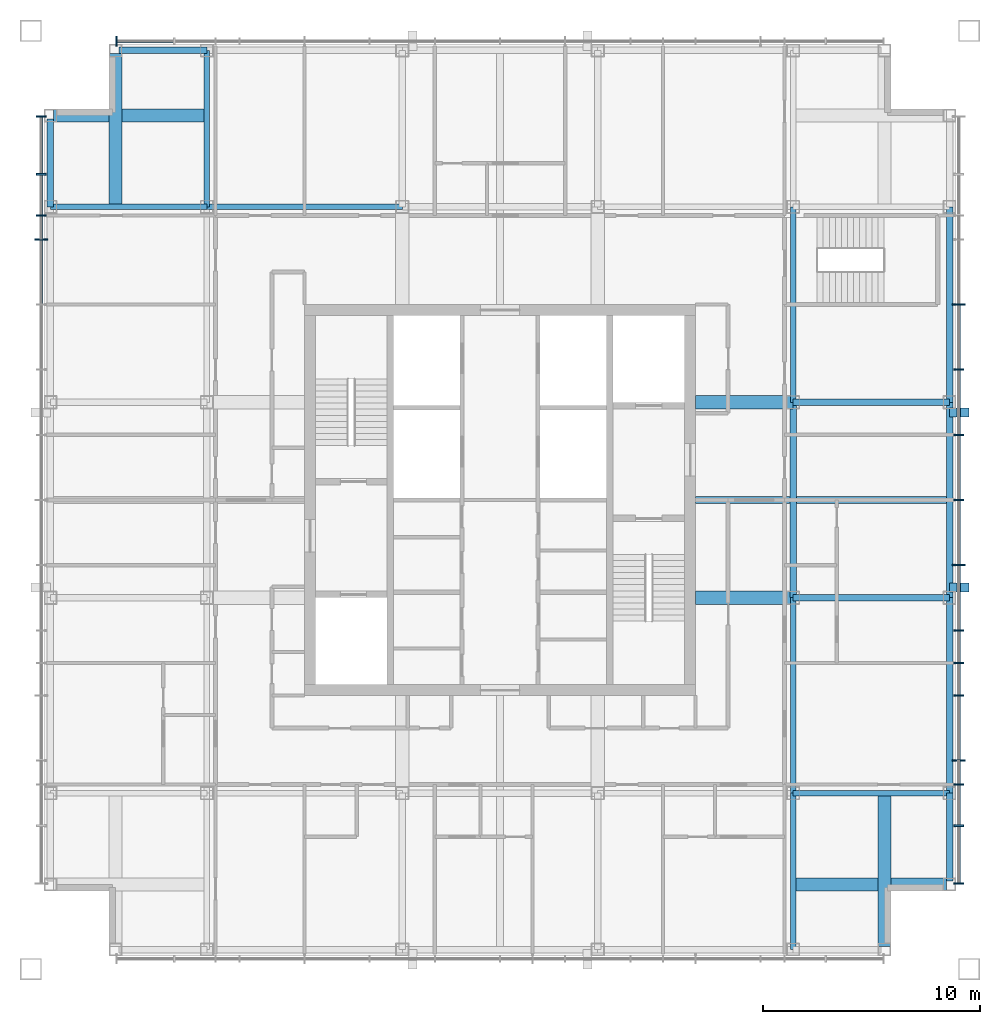
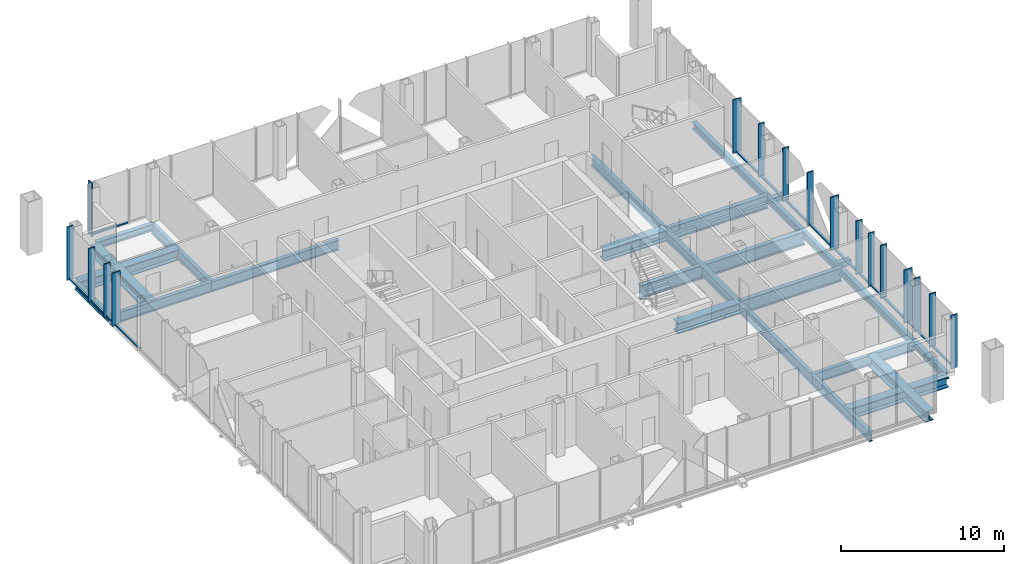
# One storey, part 4 of 12: 35 members, 23 beams, 3 elements without a shape of their own.
"""IFC4 building model written with IfcOpenShell, lengths in metres."""

import ifcopenshell
import ifcopenshell.guid

model = None  # the IFC model being written
_history = None  # IfcOwnerHistory: only IFC2X3 demands one
_inside = {}  # id of a spatial element -> (the spatial element, [elements in it])
_under = {}  # id of a project, library or spatial element -> (it, [spatial elements below it])
_declared = {}  # id of a project -> (the project, [libraries it declares])
_typed = {}  # id of a type object -> (the type object, [elements of that type])
_made_of = {}  # id of a material, layer set ... -> (it, [elements and type objects made of it])


def new_model(schema):
    """Start an empty IFC model of exactly this schema.

    Asked for "IFC4X3", IfcOpenShell would pick the latest addendum, in which some entities
    have other attributes; the version numbers below select the first issue.
    IFC2X3 requires an IfcOwnerHistory on every rooted entity: one is made here for all.
    """
    global model, _history
    if schema == "IFC4X3":
        model = ifcopenshell.file(schema_version=(4, 3, 0, 0))
    else:
        model = ifcopenshell.file(schema=schema)
    _inside.clear()
    _under.clear()
    _declared.clear()
    _typed.clear()
    _made_of.clear()
    _history = None
    if model.schema == "IFC2X3":
        org = make("IfcOrganization", Name="unknown")
        user = make(
            "IfcPersonAndOrganization",
            ThePerson=make("IfcPerson", FamilyName="unknown"),
            TheOrganization=org,
        )
        app = make(
            "IfcApplication",
            ApplicationDeveloper=org,
            Version="unknown",
            ApplicationFullName="unknown",
            ApplicationIdentifier="unknown",
        )
        _history = make(
            "IfcOwnerHistory",
            OwningUser=user,
            OwningApplication=app,
            ChangeAction="ADDED",
            CreationDate=0,
        )
    return model


def make(cls, **values):
    """One entity of the class cls with the attributes given. An attribute that is None is left unset."""
    return model.create_entity(
        cls, **{name: value for name, value in values.items() if value is not None}
    )


def rooted(cls, **values):
    """An entity with a GlobalId (a new one), such as an element, a storey or a relation."""
    return make(cls, GlobalId=ifcopenshell.guid.new(), OwnerHistory=_history, **values)


def si_unit(unit_type, name, prefix=None):
    """IfcSIUnit, for example si_unit("LENGTHUNIT", "METRE", prefix="MILLI")."""
    return make("IfcSIUnit", UnitType=unit_type, Prefix=prefix, Name=name)


def assignment(units):
    """IfcUnitAssignment: the units of a project."""
    return None if units is None else make("IfcUnitAssignment", Units=units)


def point(xyz):
    """IfcCartesianPoint."""
    return None if xyz is None else make("IfcCartesianPoint", Coordinates=xyz)


def direction(xyz):
    """IfcDirection."""
    return None if xyz is None else make("IfcDirection", DirectionRatios=xyz)


def frame(location, z_axis=None, x_axis=None):
    """IfcAxis2Placement3D, a coordinate frame: its origin and axes. An axis left out is left unset."""
    return make(
        "IfcAxis2Placement3D",
        Location=point(location),
        Axis=direction(z_axis),
        RefDirection=direction(x_axis),
    )


def frame_2d(location, x_axis=None):
    """IfcAxis2Placement2D, a coordinate frame in the plane: its origin and x axis."""
    return make(
        "IfcAxis2Placement2D", Location=point(location), RefDirection=direction(x_axis)
    )


def origin():
    """The frame at (0, 0, 0) with its axes left unset."""
    return frame((0.0, 0.0, 0.0))


def origin_2d():
    """The frame at (0, 0) in the plane with its x axis left unset."""
    return frame_2d((0.0, 0.0))


def place(relative_to, where):
    """IfcLocalPlacement: puts the frame where relative to a parent placement (None: the world)."""
    return make(
        "IfcLocalPlacement", PlacementRelTo=relative_to, RelativePlacement=where
    )


def context(
    kind, dimensions, precision=None, world=None, true_north=None, identifier=None
):
    """IfcGeometricRepresentationContext, for example the 3D "Model" context."""
    return make(
        "IfcGeometricRepresentationContext",
        ContextIdentifier=identifier,
        ContextType=kind,
        CoordinateSpaceDimension=dimensions,
        Precision=precision,
        WorldCoordinateSystem=world,
        TrueNorth=true_north,
    )


def subcontext(parent, identifier, kind, view, scale=None):
    """IfcGeometricRepresentationSubContext, for example "Body" below "Model"."""
    return make(
        "IfcGeometricRepresentationSubContext",
        ContextIdentifier=identifier,
        ContextType=kind,
        ParentContext=parent,
        TargetScale=scale,
        TargetView=view,
    )


def project(units=None, contexts=None):
    """IfcProject with its units and contexts."""
    return rooted(
        "IfcProject",
        Name="project",
        RepresentationContexts=contexts,
        UnitsInContext=assignment(units),
    )


def spatial(cls, under=None, at=None, **own):
    """A site, building, storey or space (cls), placed at a placement, below another one or the project."""
    s = rooted(cls, ObjectPlacement=at, **own)
    if under is not None:
        _under.setdefault(under.id(), (under, []))[1].append(s)
    return s


def profile(cls, at=None, kind="AREA", **sizes):
    """A parametric profile (cls). Its sizes go by their IFC names, for example OverallWidth=200.0."""
    return make(cls, ProfileType=kind, Position=at, **sizes)


def rectangle(**sizes):
    """IfcRectangleProfileDef."""
    return profile("IfcRectangleProfileDef", **sizes)


def hollow_rectangle(**sizes):
    """IfcRectangleHollowProfileDef."""
    return profile("IfcRectangleHollowProfileDef", **sizes)


def i_section(**sizes):
    """IfcIShapeProfileDef."""
    return profile("IfcIShapeProfileDef", **sizes)


def extrude(swept, where, along, depth):
    """IfcExtrudedAreaSolid: the profile swept, set in the frame where, extruded along a direction by depth."""
    return make(
        "IfcExtrudedAreaSolid",
        SweptArea=swept,
        Position=where,
        ExtrudedDirection=direction(along),
        Depth=depth,
    )


def shape(context_of_items, identifier, shape_type, items):
    """IfcShapeRepresentation: the items that make up one representation, for example the "Body"."""
    return make(
        "IfcShapeRepresentation",
        ContextOfItems=context_of_items,
        RepresentationIdentifier=identifier,
        RepresentationType=shape_type,
        Items=items,
    )


def material(Name=None, Category=None):
    """IfcMaterial."""
    return make("IfcMaterial", Name=Name, Category=Category)


def layer(
    of_material, thickness, ventilated=None, Name=None, Category=None, Priority=None
):
    """IfcMaterialLayer: one layer of a wall or slab, of a material (None: an air gap)."""
    return make(
        "IfcMaterialLayer",
        Material=of_material,
        LayerThickness=thickness,
        IsVentilated=ventilated,
        Name=Name,
        Category=Category,
        Priority=Priority,
    )


def layer_set(layers, Name=None):
    """IfcMaterialLayerSet."""
    return make("IfcMaterialLayerSet", MaterialLayers=layers, LayerSetName=Name)


def material_profile(
    of_material, cross_section, Name=None, Category=None, Priority=None
):
    """IfcMaterialProfile: a cross section and its material."""
    return make(
        "IfcMaterialProfile",
        Name=Name,
        Material=of_material,
        Profile=cross_section,
        Priority=Priority,
        Category=Category,
    )


def profile_set(profiles, Name=None, composite=None):
    """IfcMaterialProfileSet."""
    return make(
        "IfcMaterialProfileSet",
        Name=Name,
        MaterialProfiles=profiles,
        CompositeProfile=composite,
    )


def made_of(thing, what):
    """Note that an element or type object is made of a material, layer set ...; save() writes the relation."""
    if what is not None:
        _made_of.setdefault(what.id(), (what, []))[1].append(thing)
    return thing


def type_object(cls, material=None, **own):
    """A type object (cls), such as IfcWallType, which elements share."""
    return made_of(rooted(cls, **own), material)


def element(
    cls,
    number,
    at=None,
    inside=None,
    cuts=None,
    type_object=None,
    material=None,
    context=None,
    identifier="Body",
    shape_type=None,
    held_by="IfcProductDefinitionShape",
    body=None,
    shapes=None,
    **own,
):
    """One element of the class cls, such as IfcWall. Its Tag is "e" and its number.

    at: its placement. inside: the storey or other place that contains it. cuts: it is an
    opening in that element (IfcRelVoidsElement). A single representation is given by context,
    identifier, shape_type and body (its items); several are given by shapes. held_by: the class
    of the entity that holds the representations. save() writes the other relations.
    """
    e = rooted(cls, Tag="e%d" % number, ObjectPlacement=at, **own)
    if body is not None:
        shapes = [shape(context, identifier, shape_type, body)]
    if shapes is not None:
        e.Representation = make(held_by, Representations=shapes)
    if inside is not None:
        _inside.setdefault(inside.id(), (inside, []))[1].append(e)
    if cuts is not None:
        rooted(
            "IfcRelVoidsElement", RelatingBuildingElement=cuts, RelatedOpeningElement=e
        )
    if type_object is not None:
        _typed.setdefault(type_object.id(), (type_object, []))[1].append(e)
    return made_of(e, material)


def aggregate(whole, parts):
    """IfcRelAggregates: a whole, such as a stair, and the parts it consists of."""
    return rooted("IfcRelAggregates", RelatingObject=whole, RelatedObjects=parts)


def save(model, path):
    """Write the relations noted so far, then the file.

    IfcRelAggregates (storeys below a building ...), IfcRelContainedInSpatialStructure (elements
    in a storey), IfcRelDefinesByType, IfcRelAssociatesMaterial and IfcRelDeclares: one each for
    every whole, place, type object, material and project.
    """
    for whole, parts in _under.values():
        aggregate(whole, parts)
    for where, things in _inside.values():
        rooted(
            "IfcRelContainedInSpatialStructure",
            RelatedElements=things,
            RelatingStructure=where,
        )
    for kind, things in _typed.values():
        rooted("IfcRelDefinesByType", RelatedObjects=things, RelatingType=kind)
    for what, things in _made_of.values():
        rooted("IfcRelAssociatesMaterial", RelatedObjects=things, RelatingMaterial=what)
    for by, libraries in _declared.values():
        rooted("IfcRelDeclares", RelatingContext=by, RelatedDefinitions=libraries)
    model.write(path)


model = new_model("IFC4")

# Units and contexts
model_context = context("Model", 3, precision=1e-05, world=origin(), true_north=direction((0.0, 1.0)))
body_context = subcontext(model_context, "Body", "Model", "MODEL_VIEW")
ifc_project = project(units=[si_unit("LENGTHUNIT", "METRE"), si_unit("AREAUNIT", "SQUARE_METRE"), si_unit("VOLUMEUNIT", "CUBIC_METRE"), si_unit("PLANEANGLEUNIT", "RADIAN"), si_unit("MASSUNIT", "GRAM", prefix="KILO")], contexts=[model_context])

# Site, building, storey
site_placement = place(None, origin())
site = spatial("IfcSite", under=ifc_project, at=site_placement, CompositionType="ELEMENT")
building_placement = place(site_placement, origin())
building = spatial("IfcBuilding", under=site, at=building_placement, Name="Malebo Sky Hospital", CompositionType="ELEMENT")
storey_placement = place(building_placement, frame((0.0, 0.0, 266.0)))
storey = spatial("IfcBuildingStorey", under=building, at=storey_placement, Name="L64", CompositionType="ELEMENT", Elevation=266.0)

# Curtain wall, member
ifc_material_1 = material(Name="Anodised aluminium, natural silver", Category="aluminium")
ifc_layer_1 = layer(ifc_material_1, 0.25)
ifc_layer_set_1 = layer_set([ifc_layer_1], Name="WARD CURTAIN WALL NORTH AND SOUTH")
curtain_wall_type_1 = type_object("IfcCurtainWallType", Name="WARD CURTAIN WALL NORTH AND SOUTH", PredefinedType="NOTDEFINED", material=ifc_layer_set_1)
curtain_wall_1_placement = place(storey_placement, origin())
curtain_wall_1 = element("IfcCurtainWall", 1, at=curtain_wall_1_placement, inside=storey, type_object=curtain_wall_type_1, Name="NS curtain wall N", PredefinedType="NOTDEFINED")
ifc_material_profile_1 = material_profile(ifc_material_1, rectangle(XDim=0.14990234375, YDim=0.10009765625, at=origin_2d()), Name="ALUMINIUM TRANSOM 150x100")
ifc_profile_set_1 = profile_set([ifc_material_profile_1], Name="Anodised aluminium, natural silver")
member_type_1 = type_object("IfcMemberType", Name="ALUMINIUM TRANSOM 150x100", PredefinedType="USERDEFINED", material=ifc_profile_set_1)
member_1_placement = place(storey_placement, frame((42.375, 83.125, 0.050048828125), z_axis=(1.0, 0.0, 0.0), x_axis=(0.0, 1.0, 0.0)))
member_1 = element("IfcMember", 2, at=member_1_placement, type_object=member_type_1, Name="Transom 1", ObjectType="TRANSOM", PredefinedType="USERDEFINED", context=body_context, shape_type="SweptSolid", body=[
    extrude(rectangle(XDim=0.14990234375, YDim=0.10009765625, at=origin_2d()), origin(), (0.0, 0.0, 1.0), 2.58740234375),
])

# Curtain wall, members
ifc_layer_2 = layer(ifc_material_1, 0.25)
ifc_layer_set_2 = layer_set([ifc_layer_2], Name="WARD CURTAIN WALL EAST AND WEST")
curtain_wall_type_2 = type_object("IfcCurtainWallType", Name="WARD CURTAIN WALL EAST AND WEST", PredefinedType="NOTDEFINED", material=ifc_layer_set_2)
curtain_wall_2_placement = place(storey_placement, origin())
curtain_wall_2 = element("IfcCurtainWall", 3, at=curtain_wall_2_placement, inside=storey, type_object=curtain_wall_type_2, Name="EW curtain wall W", PredefinedType="NOTDEFINED")
member_2_placement = place(storey_placement, frame((38.875, 71.03759765625, 0.050048828125), z_axis=(0.0, 1.0, 0.0), x_axis=(-1.0, 0.0, 0.0)))
member_2 = element("IfcMember", 4, at=member_2_placement, type_object=member_type_1, Name="Transom 12", ObjectType="TRANSOM", PredefinedType="USERDEFINED", context=body_context, shape_type="SweptSolid", body=[
    extrude(rectangle(XDim=0.14990234375, YDim=0.10009765625, at=origin_2d()), origin(), (0.0, 0.0, 1.0), 2.9248046875),
])
member_3_placement = place(storey_placement, frame((38.875, 74.03759765625, 0.050048828125), z_axis=(0.0, 1.0, 0.0), x_axis=(-1.0, 0.0, 0.0)))
member_3 = element("IfcMember", 5, at=member_3_placement, type_object=member_type_1, Name="Transom 13", ObjectType="TRANSOM", PredefinedType="USERDEFINED", context=body_context, shape_type="SweptSolid", body=[
    extrude(rectangle(XDim=0.14990234375, YDim=0.10009765625, at=origin_2d()), origin(), (0.0, 0.0, 1.0), 1.02490234375),
])
member_4_placement = place(storey_placement, frame((38.875, 75.137451171875, 0.050048828125), z_axis=(0.0, 1.0, 0.0), x_axis=(-1.0, 0.0, 0.0)))
member_4 = element("IfcMember", 6, at=member_4_placement, type_object=member_type_1, Name="Transom 14", ObjectType="TRANSOM", PredefinedType="USERDEFINED", context=body_context, shape_type="SweptSolid", body=[
    extrude(rectangle(XDim=0.14990234375, YDim=0.10009765625, at=origin_2d()), origin(), (0.0, 0.0, 1.0), 1.824951171875),
])
member_5_placement = place(storey_placement, frame((38.875, 77.03759765625, 0.050048828125), z_axis=(0.0, 1.0, 0.0), x_axis=(-1.0, 0.0, 0.0)))
member_5 = element("IfcMember", 7, at=member_5_placement, type_object=member_type_1, Name="Transom 15", ObjectType="TRANSOM", PredefinedType="USERDEFINED", context=body_context, shape_type="SweptSolid", body=[
    extrude(rectangle(XDim=0.14990234375, YDim=0.10009765625, at=origin_2d()), origin(), (0.0, 0.0, 1.0), 2.58740234375),
])

curtain_wall_3_placement = place(storey_placement, origin())
curtain_wall_3 = element("IfcCurtainWall", 8, at=curtain_wall_3_placement, inside=storey, type_object=curtain_wall_type_2, Name="EW curtain wall E", PredefinedType="NOTDEFINED")
member_6_placement = place(storey_placement, frame((81.125, 70.96240234375, 0.050048828125), z_axis=(0.0, -1.0, 0.0), x_axis=(1.0, 0.0, 0.0)))
member_6 = element("IfcMember", 9, at=member_6_placement, type_object=member_type_1, Name="Transom 5", ObjectType="TRANSOM", PredefinedType="USERDEFINED", context=body_context, shape_type="SweptSolid", body=[
    extrude(rectangle(XDim=0.14990234375, YDim=0.10009765625, at=origin_2d()), origin(), (0.0, 0.0, 1.0), 2.9248046875),
])
member_7_placement = place(storey_placement, frame((81.125, 67.96240234375, 0.050048828125), z_axis=(0.0, -1.0, 0.0), x_axis=(1.0, 0.0, 0.0)))
member_7 = element("IfcMember", 10, at=member_7_placement, type_object=member_type_1, Name="Transom 6", ObjectType="TRANSOM", PredefinedType="USERDEFINED", context=body_context, shape_type="SweptSolid", body=[
    extrude(rectangle(XDim=0.14990234375, YDim=0.10009765625, at=origin_2d()), origin(), (0.0, 0.0, 1.0), 2.9248046875),
])
member_8_placement = place(storey_placement, frame((81.125, 64.96240234375, 0.050048828125), z_axis=(0.0, -1.0, 0.0), x_axis=(1.0, 0.0, 0.0)))
member_8 = element("IfcMember", 11, at=member_8_placement, type_object=member_type_1, Name="Transom 7", ObjectType="TRANSOM", PredefinedType="USERDEFINED", context=body_context, shape_type="SweptSolid", body=[
    extrude(rectangle(XDim=0.14990234375, YDim=0.10009765625, at=origin_2d()), origin(), (0.0, 0.0, 1.0), 2.9248046875),
])
member_9_placement = place(storey_placement, frame((81.125, 61.96240234375, 0.050048828125), z_axis=(0.0, -1.0, 0.0), x_axis=(1.0, 0.0, 0.0)))
member_9 = element("IfcMember", 12, at=member_9_placement, type_object=member_type_1, Name="Transom 8", ObjectType="TRANSOM", PredefinedType="USERDEFINED", context=body_context, shape_type="SweptSolid", body=[
    extrude(rectangle(XDim=0.14990234375, YDim=0.10009765625, at=origin_2d()), origin(), (0.0, 0.0, 1.0), 2.9248046875),
])
member_10_placement = place(storey_placement, frame((81.125, 58.96240234375, 0.050048828125), z_axis=(0.0, -1.0, 0.0), x_axis=(1.0, 0.0, 0.0)))
member_10 = element("IfcMember", 13, at=member_10_placement, type_object=member_type_1, Name="Transom 9", ObjectType="TRANSOM", PredefinedType="USERDEFINED", context=body_context, shape_type="SweptSolid", body=[
    extrude(rectangle(XDim=0.14990234375, YDim=0.10009765625, at=origin_2d()), origin(), (0.0, 0.0, 1.0), 2.9248046875),
])
member_11_placement = place(storey_placement, frame((81.125, 55.96240234375, 0.050048828125), z_axis=(0.0, -1.0, 0.0), x_axis=(1.0, 0.0, 0.0)))
member_11 = element("IfcMember", 14, at=member_11_placement, type_object=member_type_1, Name="Transom 10", ObjectType="TRANSOM", PredefinedType="USERDEFINED", context=body_context, shape_type="SweptSolid", body=[
    extrude(rectangle(XDim=0.14990234375, YDim=0.10009765625, at=origin_2d()), origin(), (0.0, 0.0, 1.0), 1.4248046875),
])
member_12_placement = place(storey_placement, frame((81.125, 54.46240234375, 0.050048828125), z_axis=(0.0, -1.0, 0.0), x_axis=(1.0, 0.0, 0.0)))
member_12 = element("IfcMember", 15, at=member_12_placement, type_object=member_type_1, Name="Transom 11", ObjectType="TRANSOM", PredefinedType="USERDEFINED", context=body_context, shape_type="SweptSolid", body=[
    extrude(rectangle(XDim=0.14990234375, YDim=0.10009765625, at=origin_2d()), origin(), (0.0, 0.0, 1.0), 1.4248046875),
])
member_13_placement = place(storey_placement, frame((81.125, 52.96240234375, 0.050048828125), z_axis=(0.0, -1.0, 0.0), x_axis=(1.0, 0.0, 0.0)))
member_13 = element("IfcMember", 16, at=member_13_placement, type_object=member_type_1, Name="Transom 12", ObjectType="TRANSOM", PredefinedType="USERDEFINED", context=body_context, shape_type="SweptSolid", body=[
    extrude(rectangle(XDim=0.14990234375, YDim=0.10009765625, at=origin_2d()), origin(), (0.0, 0.0, 1.0), 2.9248046875),
])
member_14_placement = place(storey_placement, frame((81.125, 49.96240234375, 0.050048828125), z_axis=(0.0, -1.0, 0.0), x_axis=(1.0, 0.0, 0.0)))
member_14 = element("IfcMember", 17, at=member_14_placement, type_object=member_type_1, Name="Transom 13", ObjectType="TRANSOM", PredefinedType="USERDEFINED", context=body_context, shape_type="SweptSolid", body=[
    extrude(rectangle(XDim=0.14990234375, YDim=0.10009765625, at=origin_2d()), origin(), (0.0, 0.0, 1.0), 1.02490234375),
])
member_15_placement = place(storey_placement, frame((81.125, 48.862548828125, 0.050048828125), z_axis=(0.0, -1.0, 0.0), x_axis=(1.0, 0.0, 0.0)))
member_15 = element("IfcMember", 18, at=member_15_placement, type_object=member_type_1, Name="Transom 14", ObjectType="TRANSOM", PredefinedType="USERDEFINED", context=body_context, shape_type="SweptSolid", body=[
    extrude(rectangle(XDim=0.14990234375, YDim=0.10009765625, at=origin_2d()), origin(), (0.0, 0.0, 1.0), 1.824951171875),
])
member_16_placement = place(storey_placement, frame((81.125, 46.96240234375, 0.050048828125), z_axis=(0.0, -1.0, 0.0), x_axis=(1.0, 0.0, 0.0)))
member_16 = element("IfcMember", 19, at=member_16_placement, type_object=member_type_1, Name="Transom 15", ObjectType="TRANSOM", PredefinedType="USERDEFINED", context=body_context, shape_type="SweptSolid", body=[
    extrude(rectangle(XDim=0.14990234375, YDim=0.10009765625, at=origin_2d()), origin(), (0.0, 0.0, 1.0), 2.58740234375),
])

# Members
ifc_material_2 = material(Name="Steel S355", Category="steel")
ifc_material_profile_2 = material_profile(ifc_material_2, hollow_rectangle(XDim=0.39990234375, YDim=0.39990234375, WallThickness=0.02001953125, at=origin_2d()), Name="SHS 400x20")
ifc_profile_set_2 = profile_set([ifc_material_profile_2], Name="Steel S355")
member_type_2 = type_object("IfcMemberType", Name="BRACE STRUT SHS 400x20", PredefinedType="STRUT", material=ifc_profile_set_2)
for number, where, z_axis, x_axis, name in (
    (20, (81.60009765625, 57.96826171875, -0.39990234375), (-1.0, 0.0, 0.0), (0.0, -1.0, 0.0), "Brace strut DE1 L64"),
    (21, (81.60009765625, 66.03173828125, -0.39990234375), (-1.0, 0.0, 0.0), (0.0, -1.0, 0.0), "Brace strut DE2 L64"),
):
    element("IfcMember", number, at=place(storey_placement, frame(where, z_axis=z_axis, x_axis=x_axis)), inside=storey, type_object=member_type_2, Name=name, PredefinedType="STRUT", context=body_context, shape_type="SweptSolid", body=[
        extrude(hollow_rectangle(XDim=0.39990234375, YDim=0.39990234375, WallThickness=0.02001953125, at=origin_2d()), origin(), (0.0, 0.0, 1.0), 0.900146484375),
    ])

# Member
ifc_material_profile_3 = material_profile(ifc_material_1, rectangle(XDim=0.074951171875, YDim=0.449951171875, at=origin_2d()), Name="CW1 ALUMINIUM FIN MULLION 75x450")
ifc_profile_set_3 = profile_set([ifc_material_profile_3], Name="Anodised aluminium, natural silver")
member_type_3 = type_object("IfcMemberType", Name="CW1 ALUMINIUM FIN MULLION 75x450", PredefinedType="MULLION", material=ifc_profile_set_3)
member_17_placement = place(storey_placement, frame((42.33740234375, 83.125, 0.0), z_axis=(0.0, 0.0, 1.0), x_axis=(1.0, 0.0, 0.0)))
member_17 = element("IfcMember", 22, at=member_17_placement, type_object=member_type_3, Name="Fin mullion 1", PredefinedType="MULLION", context=body_context, shape_type="SweptSolid", body=[
    extrude(rectangle(XDim=0.074951171875, YDim=0.449951171875, at=origin_2d()), origin(), (0.0, 0.0, 1.0), 4.0),
])

aggregate(curtain_wall_1, [member_17, member_1])

ifc_material_profile_4 = material_profile(ifc_material_1, rectangle(XDim=0.074951171875, YDim=0.449951171875, at=origin_2d()), Name="CW2 ALUMINIUM FIN MULLION 75x450")
ifc_profile_set_4 = profile_set([ifc_material_profile_4], Name="Anodised aluminium, natural silver")
member_type_4 = type_object("IfcMemberType", Name="CW2 ALUMINIUM FIN MULLION 75x450", PredefinedType="MULLION", material=ifc_profile_set_4)
member_18_placement = place(storey_placement, frame((38.875, 75.10009765625, 0.0), z_axis=(0.0, 0.0, 1.0), x_axis=(0.0, 1.0, 0.0)))
member_18 = element("IfcMember", 23, at=member_18_placement, type_object=member_type_4, Name="Fin mullion 14", PredefinedType="MULLION", context=body_context, shape_type="SweptSolid", body=[
    extrude(rectangle(XDim=0.074951171875, YDim=0.449951171875, at=origin_2d()), origin(), (0.0, 0.0, 1.0), 4.0),
])

member_19_placement = place(storey_placement, frame((38.875, 77.0, 0.0), z_axis=(0.0, 0.0, 1.0), x_axis=(0.0, 1.0, 0.0)))
member_19 = element("IfcMember", 24, at=member_19_placement, type_object=member_type_4, Name="Fin mullion 15", PredefinedType="MULLION", context=body_context, shape_type="SweptSolid", body=[
    extrude(rectangle(XDim=0.074951171875, YDim=0.449951171875, at=origin_2d()), origin(), (0.0, 0.0, 1.0), 4.0),
])

member_20_placement = place(storey_placement, frame((38.875, 79.66259765625, 0.0), z_axis=(0.0, 0.0, 1.0), x_axis=(0.0, 1.0, 0.0)))
member_20 = element("IfcMember", 25, at=member_20_placement, type_object=member_type_4, Name="Fin mullion 16", PredefinedType="MULLION", context=body_context, shape_type="SweptSolid", body=[
    extrude(rectangle(XDim=0.074951171875, YDim=0.449951171875, at=origin_2d()), origin(), (0.0, 0.0, 1.0), 4.0),
])

member_21_placement = place(storey_placement, frame((81.125, 68.0, 0.0), z_axis=(0.0, 0.0, 1.0), x_axis=(0.0, -1.0, 0.0)))
member_21 = element("IfcMember", 26, at=member_21_placement, type_object=member_type_4, Name="Fin mullion 6", PredefinedType="MULLION", context=body_context, shape_type="SweptSolid", body=[
    extrude(rectangle(XDim=0.074951171875, YDim=0.449951171875, at=origin_2d()), origin(), (0.0, 0.0, 1.0), 4.0),
])

member_22_placement = place(storey_placement, frame((81.125, 65.0, 0.0), z_axis=(0.0, 0.0, 1.0), x_axis=(0.0, -1.0, 0.0)))
member_22 = element("IfcMember", 27, at=member_22_placement, type_object=member_type_4, Name="Fin mullion 7", PredefinedType="MULLION", context=body_context, shape_type="SweptSolid", body=[
    extrude(rectangle(XDim=0.074951171875, YDim=0.449951171875, at=origin_2d()), origin(), (0.0, 0.0, 1.0), 4.0),
])

member_23_placement = place(storey_placement, frame((81.125, 62.0, 0.0), z_axis=(0.0, 0.0, 1.0), x_axis=(0.0, -1.0, 0.0)))
member_23 = element("IfcMember", 28, at=member_23_placement, type_object=member_type_4, Name="Fin mullion 8", PredefinedType="MULLION", context=body_context, shape_type="SweptSolid", body=[
    extrude(rectangle(XDim=0.074951171875, YDim=0.449951171875, at=origin_2d()), origin(), (0.0, 0.0, 1.0), 4.0),
])

member_24_placement = place(storey_placement, frame((81.125, 56.0, 0.0), z_axis=(0.0, 0.0, 1.0), x_axis=(0.0, -1.0, 0.0)))
member_24 = element("IfcMember", 29, at=member_24_placement, type_object=member_type_4, Name="Fin mullion 10", PredefinedType="MULLION", context=body_context, shape_type="SweptSolid", body=[
    extrude(rectangle(XDim=0.074951171875, YDim=0.449951171875, at=origin_2d()), origin(), (0.0, 0.0, 1.0), 4.0),
])

member_25_placement = place(storey_placement, frame((81.125, 54.5, 0.0), z_axis=(0.0, 0.0, 1.0), x_axis=(0.0, -1.0, 0.0)))
member_25 = element("IfcMember", 30, at=member_25_placement, type_object=member_type_4, Name="Fin mullion 11", PredefinedType="MULLION", context=body_context, shape_type="SweptSolid", body=[
    extrude(rectangle(XDim=0.074951171875, YDim=0.449951171875, at=origin_2d()), origin(), (0.0, 0.0, 1.0), 4.0),
])

member_26_placement = place(storey_placement, frame((81.125, 53.0, 0.0), z_axis=(0.0, 0.0, 1.0), x_axis=(0.0, -1.0, 0.0)))
member_26 = element("IfcMember", 31, at=member_26_placement, type_object=member_type_4, Name="Fin mullion 12", PredefinedType="MULLION", context=body_context, shape_type="SweptSolid", body=[
    extrude(rectangle(XDim=0.074951171875, YDim=0.449951171875, at=origin_2d()), origin(), (0.0, 0.0, 1.0), 4.0),
])

member_27_placement = place(storey_placement, frame((81.125, 48.89990234375, 0.0), z_axis=(0.0, 0.0, 1.0), x_axis=(0.0, -1.0, 0.0)))
member_27 = element("IfcMember", 32, at=member_27_placement, type_object=member_type_4, Name="Fin mullion 14", PredefinedType="MULLION", context=body_context, shape_type="SweptSolid", body=[
    extrude(rectangle(XDim=0.074951171875, YDim=0.449951171875, at=origin_2d()), origin(), (0.0, 0.0, 1.0), 4.0),
])

member_28_placement = place(storey_placement, frame((81.125, 47.0, 0.0), z_axis=(0.0, 0.0, 1.0), x_axis=(0.0, -1.0, 0.0)))
member_28 = element("IfcMember", 33, at=member_28_placement, type_object=member_type_4, Name="Fin mullion 15", PredefinedType="MULLION", context=body_context, shape_type="SweptSolid", body=[
    extrude(rectangle(XDim=0.074951171875, YDim=0.449951171875, at=origin_2d()), origin(), (0.0, 0.0, 1.0), 4.0),
])

member_29_placement = place(storey_placement, frame((81.125, 44.33740234375, 0.0), z_axis=(0.0, 0.0, 1.0), x_axis=(0.0, -1.0, 0.0)))
member_29 = element("IfcMember", 34, at=member_29_placement, type_object=member_type_4, Name="Fin mullion 16", PredefinedType="MULLION", context=body_context, shape_type="SweptSolid", body=[
    extrude(rectangle(XDim=0.074951171875, YDim=0.449951171875, at=origin_2d()), origin(), (0.0, 0.0, 1.0), 4.0),
])

ifc_material_profile_5 = material_profile(ifc_material_1, rectangle(XDim=0.074951171875, YDim=0.60009765625, at=origin_2d()), Name="CW2 ALUMINIUM FIN MULLION 75x600")
ifc_profile_set_5 = profile_set([ifc_material_profile_5], Name="Anodised aluminium, natural silver")
member_type_5 = type_object("IfcMemberType", Name="CW2 ALUMINIUM FIN MULLION 75x600", PredefinedType="MULLION", material=ifc_profile_set_5)
member_30_placement = place(storey_placement, frame((38.875, 74.0, 0.0), z_axis=(0.0, 0.0, 1.0), x_axis=(0.0, 1.0, 0.0)))
member_30 = element("IfcMember", 35, at=member_30_placement, type_object=member_type_5, Name="Fin mullion 13", PredefinedType="MULLION", context=body_context, shape_type="SweptSolid", body=[
    extrude(rectangle(XDim=0.074951171875, YDim=0.60009765625, at=origin_2d()), origin(), (0.0, 0.0, 1.0), 4.0),
])

aggregate(curtain_wall_2, [member_30, member_18, member_19, member_20, member_2, member_3, member_4, member_5])

member_31_placement = place(storey_placement, frame((81.125, 71.0, 0.0), z_axis=(0.0, 0.0, 1.0), x_axis=(0.0, -1.0, 0.0)))
member_31 = element("IfcMember", 36, at=member_31_placement, type_object=member_type_5, Name="Fin mullion 5", PredefinedType="MULLION", context=body_context, shape_type="SweptSolid", body=[
    extrude(rectangle(XDim=0.074951171875, YDim=0.60009765625, at=origin_2d()), origin(), (0.0, 0.0, 1.0), 4.0),
])

member_32_placement = place(storey_placement, frame((81.125, 59.0, 0.0), z_axis=(0.0, 0.0, 1.0), x_axis=(0.0, -1.0, 0.0)))
member_32 = element("IfcMember", 37, at=member_32_placement, type_object=member_type_5, Name="Fin mullion 9", PredefinedType="MULLION", context=body_context, shape_type="SweptSolid", body=[
    extrude(rectangle(XDim=0.074951171875, YDim=0.60009765625, at=origin_2d()), origin(), (0.0, 0.0, 1.0), 4.0),
])

member_33_placement = place(storey_placement, frame((81.125, 50.0, 0.0), z_axis=(0.0, 0.0, 1.0), x_axis=(0.0, -1.0, 0.0)))
member_33 = element("IfcMember", 38, at=member_33_placement, type_object=member_type_5, Name="Fin mullion 13", PredefinedType="MULLION", context=body_context, shape_type="SweptSolid", body=[
    extrude(rectangle(XDim=0.074951171875, YDim=0.60009765625, at=origin_2d()), origin(), (0.0, 0.0, 1.0), 4.0),
])

aggregate(curtain_wall_3, [member_31, member_21, member_22, member_23, member_32, member_24, member_25, member_26, member_33, member_27, member_28, member_29, member_6, member_7, member_8, member_9, member_10, member_11, member_12, member_13, member_14, member_15, member_16])

# Beams
ifc_material_profile_6 = material_profile(ifc_material_2, i_section(OverallWidth=0.305908203125, OverallDepth=0.52392578125, WebThickness=0.02099609375, FlangeThickness=0.0400390625, FilletRadius=0.027099609375, at=origin_2d()), Name="HEM 500")
ifc_profile_set_6 = profile_set([ifc_material_profile_6], Name="Steel S355")
beam_type_1 = type_object("IfcBeamType", Name="EDGE BEAM HEM 500", PredefinedType="BEAM", material=ifc_profile_set_6)
for number, where, z_axis, x_axis, name in (
    (39, (39.300048828125, 75.5, -0.511962890625), (0.0, 1.0, 0.0), (-1.0, 0.0, 0.0), "Beam 004 L64"),
    (40, (80.699951171875, 44.449951171875, -0.511962890625), (0.0, 1.0, 0.0), (-1.0, 0.0, 0.0), "Beam 029 L64"),
):
    element("IfcBeam", number, at=place(storey_placement, frame(where, z_axis=z_axis, x_axis=x_axis)), inside=storey, type_object=beam_type_1, Name=name, PredefinedType="BEAM", context=body_context, shape_type="SweptSolid", body=[
        extrude(i_section(OverallWidth=0.305908203125, OverallDepth=0.52392578125, WebThickness=0.02099609375, FlangeThickness=0.0400390625, FilletRadius=0.027099609375, at=origin_2d()), origin(), (0.0, 0.0, 1.0), 4.050048828125),
    ])
for number, where, z_axis, x_axis, name in (
    (41, (80.699951171875, 48.5, -0.511962890625), (0.0, 1.0, 0.0), (-1.0, 0.0, 0.0), "Beam 030 L64"),
    (42, (80.699951171875, 57.5, -0.511962890625), (0.0, 1.0, 0.0), (-1.0, 0.0, 0.0), "Beam 031 L64"),
    (43, (80.699951171875, 66.5, -0.511962890625), (0.0, 1.0, 0.0), (-1.0, 0.0, 0.0), "Beam 032 L64"),
):
    element("IfcBeam", number, at=place(storey_placement, frame(where, z_axis=z_axis, x_axis=x_axis)), inside=storey, type_object=beam_type_1, Name=name, PredefinedType="BEAM", context=body_context, shape_type="SweptSolid", body=[
        extrude(i_section(OverallWidth=0.305908203125, OverallDepth=0.52392578125, WebThickness=0.02099609375, FlangeThickness=0.0400390625, FilletRadius=0.027099609375, at=origin_2d()), origin(), (0.0, 0.0, 1.0), 9.0),
    ])
beam_1_placement = place(storey_placement, frame((42.449951171875, 82.699951171875, -0.511962890625), z_axis=(1.0, 0.0, 0.0), x_axis=(0.0, 1.0, 0.0)))
element("IfcBeam", 44, at=beam_1_placement, inside=storey, type_object=beam_type_1, Name="Beam 063 L64", PredefinedType="BEAM", context=body_context, shape_type="SweptSolid", body=[
    extrude(i_section(OverallWidth=0.305908203125, OverallDepth=0.52392578125, WebThickness=0.02099609375, FlangeThickness=0.0400390625, FilletRadius=0.027099609375, at=origin_2d()), origin(), (0.0, 0.0, 1.0), 4.050048828125),
])
ifc_material_profile_7 = material_profile(ifc_material_2, i_section(OverallWidth=0.300048828125, OverallDepth=1.0, WebThickness=0.01904296875, FlangeThickness=0.035888671875, FilletRadius=0.030029296875, at=origin_2d()), Name="HEB 1000")
ifc_profile_set_7 = profile_set([ifc_material_profile_7], Name="Steel S355")
beam_type_2 = type_object("IfcBeamType", Name="FLOOR BEAM HEB 1000", PredefinedType="BEAM", material=ifc_profile_set_7)
beam_2_placement = place(storey_placement, frame((73.5, 57.5, -0.75), z_axis=(1.0, 0.0, 0.0), x_axis=(0.0, 1.0, 0.0)))
element("IfcBeam", 45, at=beam_2_placement, inside=storey, type_object=beam_type_2, Name="Beam 049 L64", PredefinedType="BEAM", context=body_context, shape_type="SweptSolid", body=[
    extrude(i_section(OverallWidth=0.300048828125, OverallDepth=1.0, WebThickness=0.01904296875, FlangeThickness=0.035888671875, FilletRadius=0.030029296875, at=origin_2d()), origin(), (0.0, 0.0, 1.0), 7.199951171875),
])
beam_3_placement = place(storey_placement, frame((69.0, 62.0, -0.75), z_axis=(1.0, 0.0, 0.0), x_axis=(0.0, 1.0, 0.0)))
element("IfcBeam", 46, at=beam_3_placement, inside=storey, type_object=beam_type_2, Name="Beam 051 L64", PredefinedType="BEAM", context=body_context, shape_type="SweptSolid", body=[
    extrude(i_section(OverallWidth=0.300048828125, OverallDepth=1.0, WebThickness=0.01904296875, FlangeThickness=0.035888671875, FilletRadius=0.030029296875, at=origin_2d()), origin(), (0.0, 0.0, 1.0), 11.699951171875),
])
beam_4_placement = place(storey_placement, frame((73.5, 66.5, -0.75), z_axis=(1.0, 0.0, 0.0), x_axis=(0.0, 1.0, 0.0)))
element("IfcBeam", 47, at=beam_4_placement, inside=storey, type_object=beam_type_2, Name="Beam 055 L64", PredefinedType="BEAM", context=body_context, shape_type="SweptSolid", body=[
    extrude(i_section(OverallWidth=0.300048828125, OverallDepth=1.0, WebThickness=0.01904296875, FlangeThickness=0.035888671875, FilletRadius=0.030029296875, at=origin_2d()), origin(), (0.0, 0.0, 1.0), 7.199951171875),
])
ifc_material_profile_8 = material_profile(ifc_material_2, i_section(OverallWidth=0.26708984375, OverallDepth=0.761962890625, WebThickness=0.014404296875, FlangeThickness=0.021484375, FilletRadius=0.01708984375, at=origin_2d()), Name="IPE 750x173")
ifc_profile_set_8 = profile_set([ifc_material_profile_8], Name="Steel S355")
beam_type_3 = type_object("IfcBeamType", Name="FLOOR BEAM IPE 750x173", PredefinedType="BEAM", material=ifc_profile_set_8)
for number, where, z_axis, x_axis, name in (
    (48, (73.5, 48.5, -0.631103515625), (0.0, 1.0, 0.0), (-1.0, 0.0, 0.0), "Beam 023 L64"),
    (49, (73.5, 66.5, -0.631103515625), (0.0, 1.0, 0.0), (-1.0, 0.0, 0.0), "Beam 025 L64"),
    (50, (46.5, 75.5, -0.631103515625), (1.0, 0.0, 0.0), (0.0, 1.0, 0.0), "Beam 057 L64"),
):
    element("IfcBeam", number, at=place(storey_placement, frame(where, z_axis=z_axis, x_axis=x_axis)), inside=storey, type_object=beam_type_3, Name=name, PredefinedType="BEAM", context=body_context, shape_type="SweptSolid", body=[
        extrude(i_section(OverallWidth=0.26708984375, OverallDepth=0.761962890625, WebThickness=0.014404296875, FlangeThickness=0.021484375, FilletRadius=0.01708984375, at=origin_2d()), origin(), (0.0, 0.0, 1.0), 9.0),
    ])
ifc_material_profile_9 = material_profile(ifc_material_2, i_section(OverallWidth=0.60009765625, OverallDepth=0.800048828125, WebThickness=0.0400390625, FlangeThickness=0.06005859375, at=origin_2d()), Name="PG 800x600x40x60")
ifc_profile_set_9 = profile_set([ifc_material_profile_9], Name="Steel S355")
beam_type_4 = type_object("IfcBeamType", Name="FLOOR BEAM PG 800x600x40x60", PredefinedType="BEAM", material=ifc_profile_set_9)
for number, where, z_axis, x_axis, name in (
    (51, (42.300048828125, 75.5, -0.64990234375), (0.0, 1.0, 0.0), (-1.0, 0.0, 0.0), "Beam 006 L64"),
    (52, (77.699951171875, 41.449951171875, -0.64990234375), (0.0, 1.0, 0.0), (-1.0, 0.0, 0.0), "Beam 027 L64"),
    (53, (73.5, 44.300048828125, -0.64990234375), (1.0, 0.0, 0.0), (0.0, 1.0, 0.0), "Beam 040 L64"),
):
    element("IfcBeam", number, at=place(storey_placement, frame(where, z_axis=z_axis, x_axis=x_axis)), inside=storey, type_object=beam_type_4, Name=name, PredefinedType="BEAM", context=body_context, shape_type="SweptSolid", body=[
        extrude(i_section(OverallWidth=0.60009765625, OverallDepth=0.800048828125, WebThickness=0.0400390625, FlangeThickness=0.06005859375, at=origin_2d()), origin(), (0.0, 0.0, 1.0), 7.050048828125),
    ])
for number, where, z_axis, x_axis, name in (
    (54, (69.0, 57.5, -0.64990234375), (1.0, 0.0, 0.0), (0.0, 1.0, 0.0), "Beam 048 L64"),
    (55, (69.0, 66.5, -0.64990234375), (1.0, 0.0, 0.0), (0.0, 1.0, 0.0), "Beam 054 L64"),
):
    element("IfcBeam", number, at=place(storey_placement, frame(where, z_axis=z_axis, x_axis=x_axis)), inside=storey, type_object=beam_type_4, Name=name, PredefinedType="BEAM", context=body_context, shape_type="SweptSolid", body=[
        extrude(i_section(OverallWidth=0.60009765625, OverallDepth=0.800048828125, WebThickness=0.0400390625, FlangeThickness=0.06005859375, at=origin_2d()), origin(), (0.0, 0.0, 1.0), 4.5),
    ])
beam_5_placement = place(storey_placement, frame((39.449951171875, 79.699951171875, -0.64990234375), z_axis=(1.0, 0.0, 0.0), x_axis=(0.0, 1.0, 0.0)))
element("IfcBeam", 56, at=beam_5_placement, inside=storey, type_object=beam_type_4, Name="Beam 061 L64", PredefinedType="BEAM", context=body_context, shape_type="SweptSolid", body=[
    extrude(i_section(OverallWidth=0.60009765625, OverallDepth=0.800048828125, WebThickness=0.0400390625, FlangeThickness=0.06005859375, at=origin_2d()), origin(), (0.0, 0.0, 1.0), 7.050048828125),
])
ifc_material_profile_10 = material_profile(ifc_material_2, i_section(OverallWidth=0.262939453125, OverallDepth=0.7529296875, WebThickness=0.011474609375, FlangeThickness=0.01708984375, FilletRadius=0.01708984375, at=origin_2d()), Name="IPE 750x137")
ifc_profile_set_10 = profile_set([ifc_material_profile_10], Name="Steel S355")
beam_type_5 = type_object("IfcBeamType", Name="FLOOR GIRDER IPE 750x137", PredefinedType="BEAM", material=ifc_profile_set_10)
for number, where, z_axis, x_axis, name in (
    (57, (46.5, 75.5, -0.62646484375), (0.0, 1.0, 0.0), (-1.0, 0.0, 0.0), "Beam 011 L64"),
    (58, (73.5, 41.300048828125, -0.62646484375), (0.0, 1.0, 0.0), (-1.0, 0.0, 0.0), "Beam 022 L64"),
    (59, (73.5, 48.5, -0.62646484375), (1.0, 0.0, 0.0), (0.0, 1.0, 0.0), "Beam 045 L64"),
    (60, (39.300048828125, 75.5, -0.62646484375), (1.0, 0.0, 0.0), (0.0, 1.0, 0.0), "Beam 056 L64"),
):
    element("IfcBeam", number, at=place(storey_placement, frame(where, z_axis=z_axis, x_axis=x_axis)), inside=storey, type_object=beam_type_5, Name=name, PredefinedType="BEAM", context=body_context, shape_type="SweptSolid", body=[
        extrude(i_section(OverallWidth=0.262939453125, OverallDepth=0.7529296875, WebThickness=0.011474609375, FlangeThickness=0.01708984375, FilletRadius=0.01708984375, at=origin_2d()), origin(), (0.0, 0.0, 1.0), 7.199951171875),
    ])
ifc_material_profile_11 = material_profile(ifc_material_2, i_section(OverallWidth=0.300048828125, OverallDepth=0.800048828125, WebThickness=0.017578125, FlangeThickness=0.032958984375, FilletRadius=0.030029296875, at=origin_2d()), Name="HEB 800")
ifc_profile_set_11 = profile_set([ifc_material_profile_11], Name="Steel S355")
beam_type_6 = type_object("IfcBeamType", Name="RING GIRDER HEB 800", PredefinedType="BEAM", material=ifc_profile_set_11)
beam_6_placement = place(storey_placement, frame((73.5, 57.5, -0.64990234375), z_axis=(0.0, 1.0, 0.0), x_axis=(-1.0, 0.0, 0.0)))
element("IfcBeam", 61, at=beam_6_placement, inside=storey, type_object=beam_type_6, Name="Beam 024 L64", PredefinedType="BEAM", context=body_context, shape_type="SweptSolid", body=[
    extrude(i_section(OverallWidth=0.300048828125, OverallDepth=0.800048828125, WebThickness=0.017578125, FlangeThickness=0.032958984375, FilletRadius=0.030029296875, at=origin_2d()), origin(), (0.0, 0.0, 1.0), 9.0),
])

save(model, "model.ifc")
